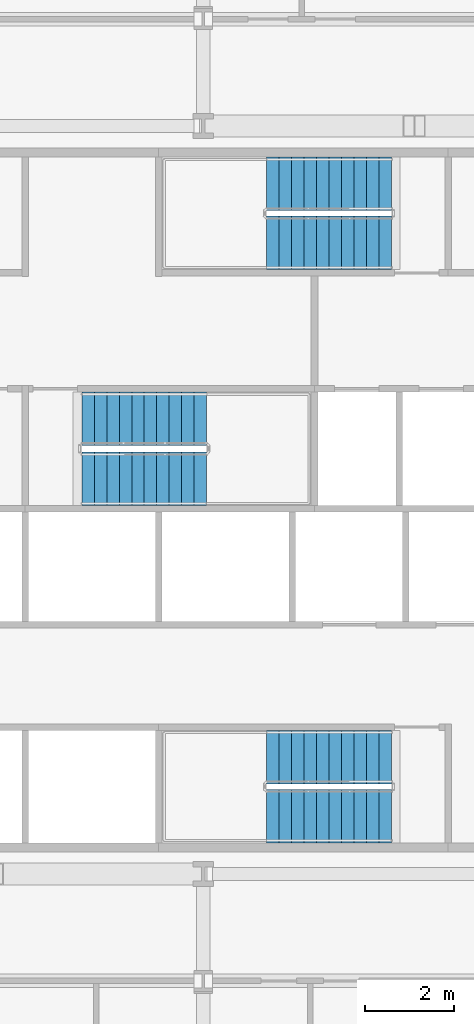
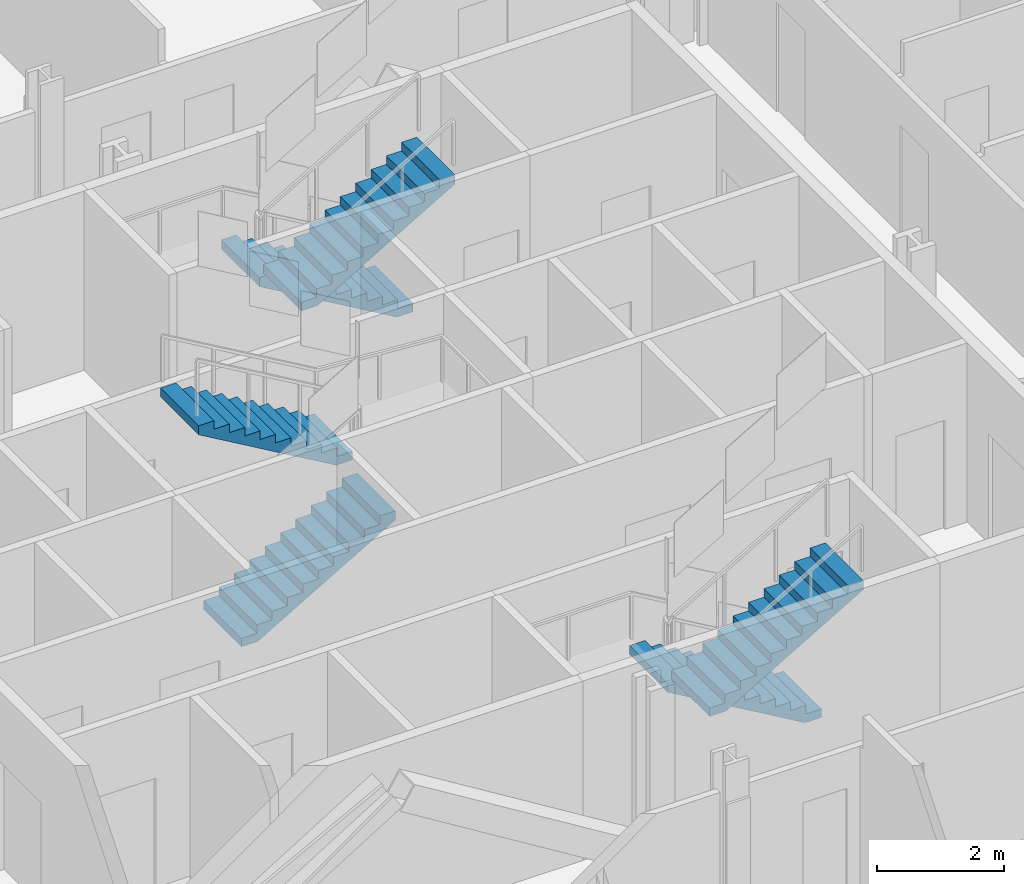
# One storey, part 14 of 21: 6 stair flights, 3 elements without a shape of their own.
"""IFC4 building model written with IfcOpenShell, lengths in metres."""

from ifc_helpers import new_model, si_unit, direction, frame, origin, place, context, subcontext, project, spatial, polyline, outline, extrude, material, type_object, element, aggregate, save


model = new_model("IFC4")

# Units and contexts
model_context = context("Model", 3, precision=1e-05, world=origin(), true_north=direction((0.0, 1.0)))
body_context = subcontext(model_context, "Body", "Model", "MODEL_VIEW")
ifc_project = project(units=[si_unit("LENGTHUNIT", "METRE"), si_unit("AREAUNIT", "SQUARE_METRE"), si_unit("VOLUMEUNIT", "CUBIC_METRE"), si_unit("PLANEANGLEUNIT", "RADIAN"), si_unit("MASSUNIT", "GRAM", prefix="KILO")], contexts=[model_context])

# Site, building, storey
site_placement = place(None, origin())
site = spatial("IfcSite", under=ifc_project, at=site_placement, CompositionType="ELEMENT")
building_placement = place(site_placement, origin())
building = spatial("IfcBuilding", under=site, at=building_placement, Name="Cairn Pilgrim Tower", CompositionType="ELEMENT")
storey_placement = place(building_placement, frame((0.0, 0.0, 47.39990234375)))
storey = spatial("IfcBuildingStorey", under=building, at=storey_placement, Name="L09", CompositionType="ELEMENT", Elevation=47.39990234375)

# Stair, stair flights
ifc_material = material(Name="Concrete C32/40", Category="concrete")
stair_type = type_object("IfcStairType", Name="EXIT STAIR 1200", PredefinedType="HALF_TURN_STAIR", material=ifc_material)
stair_1_placement = place(storey_placement, origin())
stair_1 = element("IfcStair", 1, at=stair_1_placement, inside=storey, type_object=stair_type, Name="L09 Exit Stair A", PredefinedType="HALF_TURN_STAIR")
stair_flight_type = type_object("IfcStairFlightType", Name="STAIR FLIGHT 1200", PredefinedType="STRAIGHT", material=ifc_material)
stair_flight_1_placement = place(storey_placement, frame((11.425048828125, -3.375, 0.0), z_axis=(0.0, 0.0, 1.0), x_axis=(-1.0, 0.0, 0.0)))
stair_flight_1 = element("IfcStairFlight", 2, at=stair_flight_1_placement, type_object=stair_flight_type, Name="ST-A flight 1", NumberOfRisers=11, NumberOfTreads=10, PredefinedType="STRAIGHT", RiserHeight=0.163636364, TreadLength=0.28, context=body_context, shape_type="SweptSolid", body=[
    extrude(outline(polyline([(0.0, 0.0), (0.0, 0.16357421875), (0.280029296875, 0.16357421875), (0.280029296875, 0.327392578125), (0.56005859375, 0.327392578125), (0.56005859375, 0.490966796875), (0.840087890625, 0.490966796875), (0.840087890625, 0.654541015625), (1.1201171875, 0.654541015625), (1.1201171875, 0.818115234375), (1.39990234375, 0.818115234375), (1.39990234375, 0.98193359375), (1.679931640625, 0.98193359375), (1.679931640625, 1.1455078125), (1.9599609375, 1.1455078125), (1.9599609375, 1.30908203125), (2.239990234375, 1.30908203125), (2.239990234375, 1.47265625), (2.52001953125, 1.47265625), (2.52001953125, 1.636474609375), (2.800048828125, 1.636474609375), (2.800048828125, 1.800048828125), (2.800048828125, 1.462646484375), (0.297119140625, 0.0), (0.0, 0.0)])), frame((0.0, 0.60009765625, 0.0), z_axis=(0.0, -1.0, 0.0), x_axis=(1.0, 0.0, 0.0)), (0.0, 0.0, 1.0), 1.199951171875),
])
stair_flight_2_placement = place(storey_placement, frame((8.625, -4.699951171875, 1.800048828125), z_axis=(0.0, 0.0, 1.0), x_axis=(1.0, 0.0, 0.0)))
stair_flight_2 = element("IfcStairFlight", 3, at=stair_flight_2_placement, type_object=stair_flight_type, Name="ST-A flight 2", NumberOfRisers=11, NumberOfTreads=10, PredefinedType="STRAIGHT", RiserHeight=0.163636364, TreadLength=0.28, context=body_context, shape_type="SweptSolid", body=[
    extrude(outline(polyline([(0.0, 0.0), (0.0, 0.16357421875), (0.280029296875, 0.16357421875), (0.280029296875, 0.327392578125), (0.56005859375, 0.327392578125), (0.56005859375, 0.490966796875), (0.840087890625, 0.490966796875), (0.840087890625, 0.654541015625), (1.1201171875, 0.654541015625), (1.1201171875, 0.818115234375), (1.39990234375, 0.818115234375), (1.39990234375, 0.98193359375), (1.679931640625, 0.98193359375), (1.679931640625, 1.1455078125), (1.9599609375, 1.1455078125), (1.9599609375, 1.30908203125), (2.239990234375, 1.30908203125), (2.239990234375, 1.47265625), (2.52001953125, 1.47265625), (2.52001953125, 1.636474609375), (2.800048828125, 1.636474609375), (2.800048828125, 1.800048828125), (2.800048828125, 1.462646484375), (0.297119140625, 0.0), (0.0, 0.0)])), frame((0.0, 0.60009765625, 0.0), z_axis=(0.0, -1.0, 0.0), x_axis=(1.0, 0.0, 0.0)), (0.0, 0.0, 1.0), 1.199951171875),
])
aggregate(stair_1, [stair_flight_1, stair_flight_2])

stair_2_placement = place(storey_placement, origin())
stair_2 = element("IfcStair", 4, at=stair_2_placement, inside=storey, type_object=stair_type, Name="L09 Exit Stair B", PredefinedType="HALF_TURN_STAIR")
stair_flight_3_placement = place(storey_placement, frame((4.47509765625, 2.875, 0.0), z_axis=(0.0, 0.0, 1.0), x_axis=(1.0, 0.0, 0.0)))
stair_flight_3 = element("IfcStairFlight", 5, at=stair_flight_3_placement, type_object=stair_flight_type, Name="ST-B flight 1", NumberOfRisers=11, NumberOfTreads=10, PredefinedType="STRAIGHT", RiserHeight=0.163636364, TreadLength=0.28, context=body_context, shape_type="SweptSolid", body=[
    extrude(outline(polyline([(0.0, 0.0), (0.0, 0.16357421875), (0.280029296875, 0.16357421875), (0.280029296875, 0.327392578125), (0.56005859375, 0.327392578125), (0.56005859375, 0.490966796875), (0.840087890625, 0.490966796875), (0.840087890625, 0.654541015625), (1.1201171875, 0.654541015625), (1.1201171875, 0.818115234375), (1.39990234375, 0.818115234375), (1.39990234375, 0.98193359375), (1.679931640625, 0.98193359375), (1.679931640625, 1.1455078125), (1.9599609375, 1.1455078125), (1.9599609375, 1.30908203125), (2.239990234375, 1.30908203125), (2.239990234375, 1.47265625), (2.52001953125, 1.47265625), (2.52001953125, 1.636474609375), (2.800048828125, 1.636474609375), (2.800048828125, 1.800048828125), (2.800048828125, 1.462646484375), (0.297119140625, 0.0), (0.0, 0.0)])), frame((0.0, 0.60009765625, 0.0), z_axis=(0.0, -1.0, 0.0), x_axis=(1.0, 0.0, 0.0)), (0.0, 0.0, 1.0), 1.199951171875),
])
stair_flight_4_placement = place(storey_placement, frame((7.27490234375, 4.22509765625, 1.800048828125), z_axis=(0.0, 0.0, 1.0), x_axis=(-1.0, 0.0, 0.0)))
stair_flight_4 = element("IfcStairFlight", 6, at=stair_flight_4_placement, type_object=stair_flight_type, Name="ST-B flight 2", NumberOfRisers=11, NumberOfTreads=10, PredefinedType="STRAIGHT", RiserHeight=0.163636364, TreadLength=0.28, context=body_context, shape_type="SweptSolid", body=[
    extrude(outline(polyline([(0.0, 0.0), (0.0, 0.16357421875), (0.280029296875, 0.16357421875), (0.280029296875, 0.327392578125), (0.56005859375, 0.327392578125), (0.56005859375, 0.490966796875), (0.840087890625, 0.490966796875), (0.840087890625, 0.654541015625), (1.1201171875, 0.654541015625), (1.1201171875, 0.818115234375), (1.39990234375, 0.818115234375), (1.39990234375, 0.98193359375), (1.679931640625, 0.98193359375), (1.679931640625, 1.1455078125), (1.9599609375, 1.1455078125), (1.9599609375, 1.30908203125), (2.239990234375, 1.30908203125), (2.239990234375, 1.47265625), (2.52001953125, 1.47265625), (2.52001953125, 1.636474609375), (2.800048828125, 1.636474609375), (2.800048828125, 1.800048828125), (2.800048828125, 1.462646484375), (0.297119140625, 0.0), (0.0, 0.0)])), frame((0.0, 0.60009765625, 0.0), z_axis=(0.0, -1.0, 0.0), x_axis=(1.0, 0.0, 0.0)), (0.0, 0.0, 1.0), 1.199951171875),
])
aggregate(stair_2, [stair_flight_3, stair_flight_4])

stair_3_placement = place(storey_placement, origin())
stair_3 = element("IfcStair", 7, at=stair_3_placement, inside=storey, type_object=stair_type, Name="L09 Exit Stair C", PredefinedType="HALF_TURN_STAIR")
stair_flight_5_placement = place(storey_placement, frame((11.425048828125, 9.5, 0.0), z_axis=(0.0, 0.0, 1.0), x_axis=(-1.0, 0.0, 0.0)))
stair_flight_5 = element("IfcStairFlight", 8, at=stair_flight_5_placement, type_object=stair_flight_type, Name="ST-C flight 1", NumberOfRisers=11, NumberOfTreads=10, PredefinedType="STRAIGHT", RiserHeight=0.163636364, TreadLength=0.28, context=body_context, shape_type="SweptSolid", body=[
    extrude(outline(polyline([(0.0, 0.0), (0.0, 0.16357421875), (0.280029296875, 0.16357421875), (0.280029296875, 0.327392578125), (0.56005859375, 0.327392578125), (0.56005859375, 0.490966796875), (0.840087890625, 0.490966796875), (0.840087890625, 0.654541015625), (1.1201171875, 0.654541015625), (1.1201171875, 0.818115234375), (1.39990234375, 0.818115234375), (1.39990234375, 0.98193359375), (1.679931640625, 0.98193359375), (1.679931640625, 1.1455078125), (1.9599609375, 1.1455078125), (1.9599609375, 1.30908203125), (2.239990234375, 1.30908203125), (2.239990234375, 1.47265625), (2.52001953125, 1.47265625), (2.52001953125, 1.636474609375), (2.800048828125, 1.636474609375), (2.800048828125, 1.800048828125), (2.800048828125, 1.462646484375), (0.297119140625, 0.0), (0.0, 0.0)])), frame((0.0, 0.60009765625, 0.0), z_axis=(0.0, -1.0, 0.0), x_axis=(1.0, 0.0, 0.0)), (0.0, 0.0, 1.0), 1.199951171875),
])
stair_flight_6_placement = place(storey_placement, frame((8.625, 8.175048828125, 1.800048828125), z_axis=(0.0, 0.0, 1.0), x_axis=(1.0, 0.0, 0.0)))
stair_flight_6 = element("IfcStairFlight", 9, at=stair_flight_6_placement, type_object=stair_flight_type, Name="ST-C flight 2", NumberOfRisers=11, NumberOfTreads=10, PredefinedType="STRAIGHT", RiserHeight=0.163636364, TreadLength=0.28, context=body_context, shape_type="SweptSolid", body=[
    extrude(outline(polyline([(0.0, 0.0), (0.0, 0.16357421875), (0.280029296875, 0.16357421875), (0.280029296875, 0.327392578125), (0.56005859375, 0.327392578125), (0.56005859375, 0.490966796875), (0.840087890625, 0.490966796875), (0.840087890625, 0.654541015625), (1.1201171875, 0.654541015625), (1.1201171875, 0.818115234375), (1.39990234375, 0.818115234375), (1.39990234375, 0.98193359375), (1.679931640625, 0.98193359375), (1.679931640625, 1.1455078125), (1.9599609375, 1.1455078125), (1.9599609375, 1.30908203125), (2.239990234375, 1.30908203125), (2.239990234375, 1.47265625), (2.52001953125, 1.47265625), (2.52001953125, 1.636474609375), (2.800048828125, 1.636474609375), (2.800048828125, 1.800048828125), (2.800048828125, 1.462646484375), (0.297119140625, 0.0), (0.0, 0.0)])), frame((0.0, 0.60009765625, 0.0), z_axis=(0.0, -1.0, 0.0), x_axis=(1.0, 0.0, 0.0)), (0.0, 0.0, 1.0), 1.199951171875),
])
aggregate(stair_3, [stair_flight_5, stair_flight_6])

save(model, "model.ifc")
